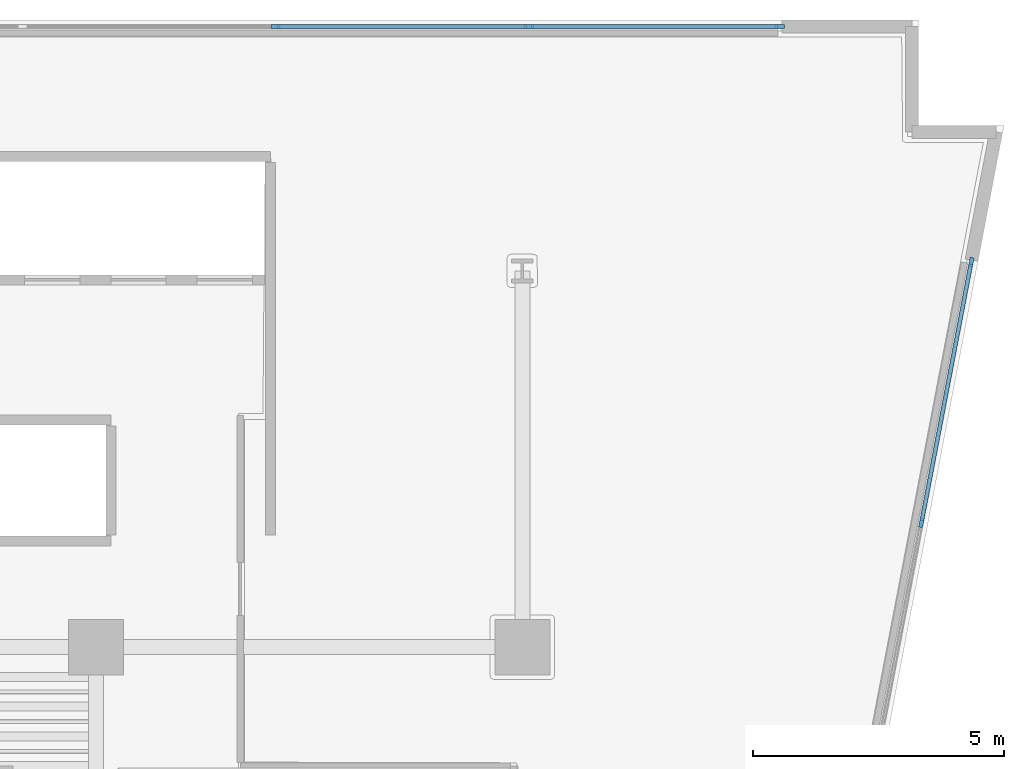
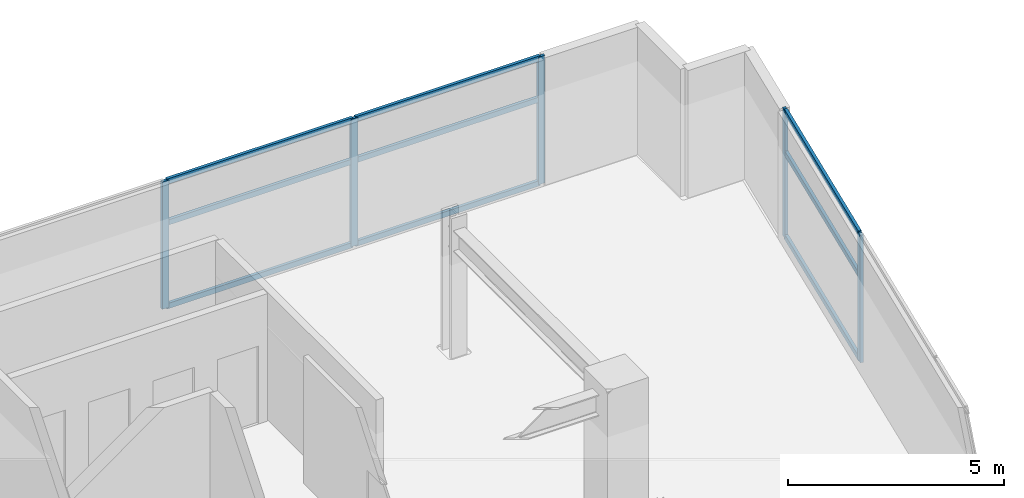
# One storey, part 5 of 14: 14 members, 2 elements without a shape of their own.
"""IFC4 building model written with IfcOpenShell, lengths in metres."""

from ifc_helpers import new_model, si_unit, direction, frame, origin, origin_2d, place, context, subcontext, project, spatial, rectangle, extrude, material, layer, layer_set, material_profile, profile_set, type_object, element, aggregate, save


model = new_model("IFC4")

# Units and contexts
model_context = context("Model", 3, precision=1e-05, world=origin(), true_north=direction((0.0, 1.0)))
body_context = subcontext(model_context, "Body", "Model", "MODEL_VIEW")
ifc_project = project(units=[si_unit("LENGTHUNIT", "METRE"), si_unit("AREAUNIT", "SQUARE_METRE"), si_unit("VOLUMEUNIT", "CUBIC_METRE"), si_unit("PLANEANGLEUNIT", "RADIAN"), si_unit("MASSUNIT", "GRAM", prefix="KILO")], contexts=[model_context])

# Site, building, storey
site_placement = place(None, origin())
site = spatial("IfcSite", under=ifc_project, at=site_placement, CompositionType="ELEMENT")
building_placement = place(site_placement, origin())
building = spatial("IfcBuilding", under=site, at=building_placement, Name="Caeloran Harvest Quay", CompositionType="ELEMENT")
storey_placement = place(building_placement, frame((0.0, 0.0, 174.60009765625)))
storey = spatial("IfcBuildingStorey", under=building, at=storey_placement, Name="L41", CompositionType="ELEMENT", Elevation=174.60009765625)

# Curtain wall, members
ifc_material_1 = material(Name="Aluminium 6063-T6 and Low-E Glazing", Category="aluminium")
ifc_layer = layer(ifc_material_1, 0.22998046875, Name="Aluminium 6063-T6 and Low-E Glazing")
ifc_layer_set = layer_set([ifc_layer], Name="Aluminium 6063-T6 and Low-E Glazing")
curtain_wall_type = type_object("IfcCurtainWallType", Name="CW-SYS-CW-6", PredefinedType="USERDEFINED", material=ifc_layer_set)
curtain_wall_1_placement = place(storey_placement, origin())
curtain_wall_1 = element("IfcCurtainWall", 1, at=curtain_wall_1_placement, inside=storey, type_object=curtain_wall_type, Name="L41 Unitised Curtain Wall CW-6 Run 6", ObjectType="CURTAIN_WALL", PredefinedType="USERDEFINED")
ifc_material_2 = material(Name="Aluminium 6063-T6", Category="aluminium")
ifc_material_profile_1 = material_profile(ifc_material_2, rectangle(XDim=0.080078125, YDim=0.179931640625, at=origin_2d()), Name="CW-MULLION-180")
ifc_profile_set_1 = profile_set([ifc_material_profile_1], Name="Aluminium 6063-T6")
member_type_1 = type_object("IfcMemberType", Name="CW-MULLION-180", PredefinedType="MULLION", material=ifc_profile_set_1)
member_1_placement = place(storey_placement, frame((37.5849609375, 43.3701171875, 0.0), z_axis=(0.0, 0.0, 1.0), x_axis=(0.0, 1.0, 0.0)))
member_1 = element("IfcMember", 2, at=member_1_placement, type_object=member_type_1, Name="CW-6 mullion 7", PredefinedType="MULLION", context=body_context, shape_type="SweptSolid", body=[
    extrude(rectangle(XDim=0.080078125, YDim=0.179931640625, at=origin_2d()), origin(), (0.0, 0.0, 1.0), 3.599853515625),
])
member_2_placement = place(storey_placement, frame((42.62744140625, 43.3701171875, 0.0), z_axis=(0.0, 0.0, 1.0), x_axis=(0.0, 1.0, 0.0)))
member_2 = element("IfcMember", 3, at=member_2_placement, type_object=member_type_1, Name="CW-6 mullion 8", PredefinedType="MULLION", context=body_context, shape_type="SweptSolid", body=[
    extrude(rectangle(XDim=0.080078125, YDim=0.179931640625, at=origin_2d()), origin(), (0.0, 0.0, 1.0), 3.599853515625),
])
member_3_placement = place(storey_placement, frame((47.6298828125, 43.3701171875, 0.0), z_axis=(0.0, 0.0, 1.0), x_axis=(0.0, 1.0, 0.0)))
member_3 = element("IfcMember", 4, at=member_3_placement, type_object=member_type_1, Name="CW-6 mullion 9", PredefinedType="MULLION", context=body_context, shape_type="SweptSolid", body=[
    extrude(rectangle(XDim=0.080078125, YDim=0.179931640625, at=origin_2d()), origin(), (0.0, 0.0, 1.0), 3.599853515625),
])

curtain_wall_2_placement = place(storey_placement, origin())
curtain_wall_2 = element("IfcCurtainWall", 5, at=curtain_wall_2_placement, inside=storey, type_object=curtain_wall_type, Name="L41 Unitised Curtain Wall CW-6 Run 9", ObjectType="CURTAIN_WALL", PredefinedType="USERDEFINED")
member_4_placement = place(storey_placement, frame((51.446533203125, 38.677001953125, 0.0), z_axis=(0.0, 0.0, 1.0), x_axis=(0.982247834417, -0.187587824188, 0.0)))
member_4 = element("IfcMember", 6, at=member_4_placement, type_object=member_type_1, Name="CW-6 mullion 1", PredefinedType="MULLION", context=body_context, shape_type="SweptSolid", body=[
    extrude(rectangle(XDim=0.080078125, YDim=0.179931640625, at=origin_2d()), origin(), (0.0, 0.0, 1.0), 3.599853515625),
])
member_5_placement = place(storey_placement, frame((50.45361328125, 33.4775390625, 0.0), z_axis=(0.0, 0.0, 1.0), x_axis=(0.982247834417, -0.187587824188, 0.0)))
member_5 = element("IfcMember", 7, at=member_5_placement, type_object=member_type_1, Name="CW-6 mullion 2", PredefinedType="MULLION", context=body_context, shape_type="SweptSolid", body=[
    extrude(rectangle(XDim=0.080078125, YDim=0.179931640625, at=origin_2d()), origin(), (0.0, 0.0, 1.0), 3.599853515625),
])

# Member
ifc_material_profile_2 = material_profile(ifc_material_2, rectangle(XDim=0.080078125, YDim=0.14990234375, at=origin_2d()), Name="CW-TRANSOM-150")
ifc_profile_set_2 = profile_set([ifc_material_profile_2], Name="Aluminium 6063-T6")
member_type_2 = type_object("IfcMemberType", Name="CW-TRANSOM-150", PredefinedType="USERDEFINED", material=ifc_profile_set_2)
member_6_placement = place(storey_placement, frame((37.625, 43.3701171875, 0.039794921875), z_axis=(1.0, 0.0, 0.0), x_axis=(0.0, 1.0, 0.0)))
member_6 = element("IfcMember", 8, at=member_6_placement, type_object=member_type_2, Name="CW-6 transom 7.1", ObjectType="TRANSOM", PredefinedType="USERDEFINED", context=body_context, shape_type="SweptSolid", body=[
    extrude(rectangle(XDim=0.080078125, YDim=0.14990234375, at=origin_2d()), origin(), (0.0, 0.0, 1.0), 4.96240234375),
])

member_7_placement = place(storey_placement, frame((37.625, 43.3701171875, 2.39990234375), z_axis=(1.0, 0.0, 0.0), x_axis=(0.0, 1.0, 0.0)))
member_7 = element("IfcMember", 9, at=member_7_placement, type_object=member_type_2, Name="CW-6 transom 7.2", ObjectType="TRANSOM", PredefinedType="USERDEFINED", context=body_context, shape_type="SweptSolid", body=[
    extrude(rectangle(XDim=0.080078125, YDim=0.14990234375, at=origin_2d()), origin(), (0.0, 0.0, 1.0), 4.96240234375),
])

member_8_placement = place(storey_placement, frame((37.625, 43.3701171875, 3.559814453125), z_axis=(1.0, 0.0, 0.0), x_axis=(0.0, 1.0, 0.0)))
member_8 = element("IfcMember", 10, at=member_8_placement, type_object=member_type_2, Name="CW-6 transom 7.3", ObjectType="TRANSOM", PredefinedType="USERDEFINED", context=body_context, shape_type="SweptSolid", body=[
    extrude(rectangle(XDim=0.080078125, YDim=0.14990234375, at=origin_2d()), origin(), (0.0, 0.0, 1.0), 4.96240234375),
])

member_9_placement = place(storey_placement, frame((42.66748046875, 43.3701171875, 0.039794921875), z_axis=(1.0, 0.0, 0.0), x_axis=(0.0, 1.0, 0.0)))
member_9 = element("IfcMember", 11, at=member_9_placement, type_object=member_type_2, Name="CW-6 transom 8.1", ObjectType="TRANSOM", PredefinedType="USERDEFINED", context=body_context, shape_type="SweptSolid", body=[
    extrude(rectangle(XDim=0.080078125, YDim=0.14990234375, at=origin_2d()), origin(), (0.0, 0.0, 1.0), 4.922607421875),
])

member_10_placement = place(storey_placement, frame((42.66748046875, 43.3701171875, 2.39990234375), z_axis=(1.0, 0.0, 0.0), x_axis=(0.0, 1.0, 0.0)))
member_10 = element("IfcMember", 12, at=member_10_placement, type_object=member_type_2, Name="CW-6 transom 8.2", ObjectType="TRANSOM", PredefinedType="USERDEFINED", context=body_context, shape_type="SweptSolid", body=[
    extrude(rectangle(XDim=0.080078125, YDim=0.14990234375, at=origin_2d()), origin(), (0.0, 0.0, 1.0), 4.922607421875),
])

member_11_placement = place(storey_placement, frame((42.66748046875, 43.3701171875, 3.559814453125), z_axis=(1.0, 0.0, 0.0), x_axis=(0.0, 1.0, 0.0)))
member_11 = element("IfcMember", 13, at=member_11_placement, type_object=member_type_2, Name="CW-6 transom 8.3", ObjectType="TRANSOM", PredefinedType="USERDEFINED", context=body_context, shape_type="SweptSolid", body=[
    extrude(rectangle(XDim=0.080078125, YDim=0.14990234375, at=origin_2d()), origin(), (0.0, 0.0, 1.0), 4.922607421875),
])

aggregate(curtain_wall_1, [member_1, member_2, member_3, member_6, member_7, member_8, member_9, member_10, member_11])

member_12_placement = place(storey_placement, frame((51.439208984375, 38.6376953125, 0.039794921875), z_axis=(-0.187598413492, -0.982245812032, 0.0), x_axis=(0.982245812032, -0.187598413492, 0.0)))
member_12 = element("IfcMember", 14, at=member_12_placement, type_object=member_type_2, Name="CW-6 transom 1.1", ObjectType="TRANSOM", PredefinedType="USERDEFINED", context=body_context, shape_type="SweptSolid", body=[
    extrude(rectangle(XDim=0.080078125, YDim=0.14990234375, at=origin_2d()), origin(), (0.0, 0.0, 1.0), 5.21337890625),
])

member_13_placement = place(storey_placement, frame((51.439208984375, 38.6376953125, 2.39990234375), z_axis=(-0.187598413492, -0.982245812032, 0.0), x_axis=(0.982245812032, -0.187598413492, 0.0)))
member_13 = element("IfcMember", 15, at=member_13_placement, type_object=member_type_2, Name="CW-6 transom 1.2", ObjectType="TRANSOM", PredefinedType="USERDEFINED", context=body_context, shape_type="SweptSolid", body=[
    extrude(rectangle(XDim=0.080078125, YDim=0.14990234375, at=origin_2d()), origin(), (0.0, 0.0, 1.0), 5.21337890625),
])

member_14_placement = place(storey_placement, frame((51.439208984375, 38.6376953125, 3.559814453125), z_axis=(-0.187598413492, -0.982245812032, 0.0), x_axis=(0.982245812032, -0.187598413492, 0.0)))
member_14 = element("IfcMember", 16, at=member_14_placement, type_object=member_type_2, Name="CW-6 transom 1.3", ObjectType="TRANSOM", PredefinedType="USERDEFINED", context=body_context, shape_type="SweptSolid", body=[
    extrude(rectangle(XDim=0.080078125, YDim=0.14990234375, at=origin_2d()), origin(), (0.0, 0.0, 1.0), 5.21337890625),
])

aggregate(curtain_wall_2, [member_4, member_5, member_12, member_13, member_14])

save(model, "model.ifc")
